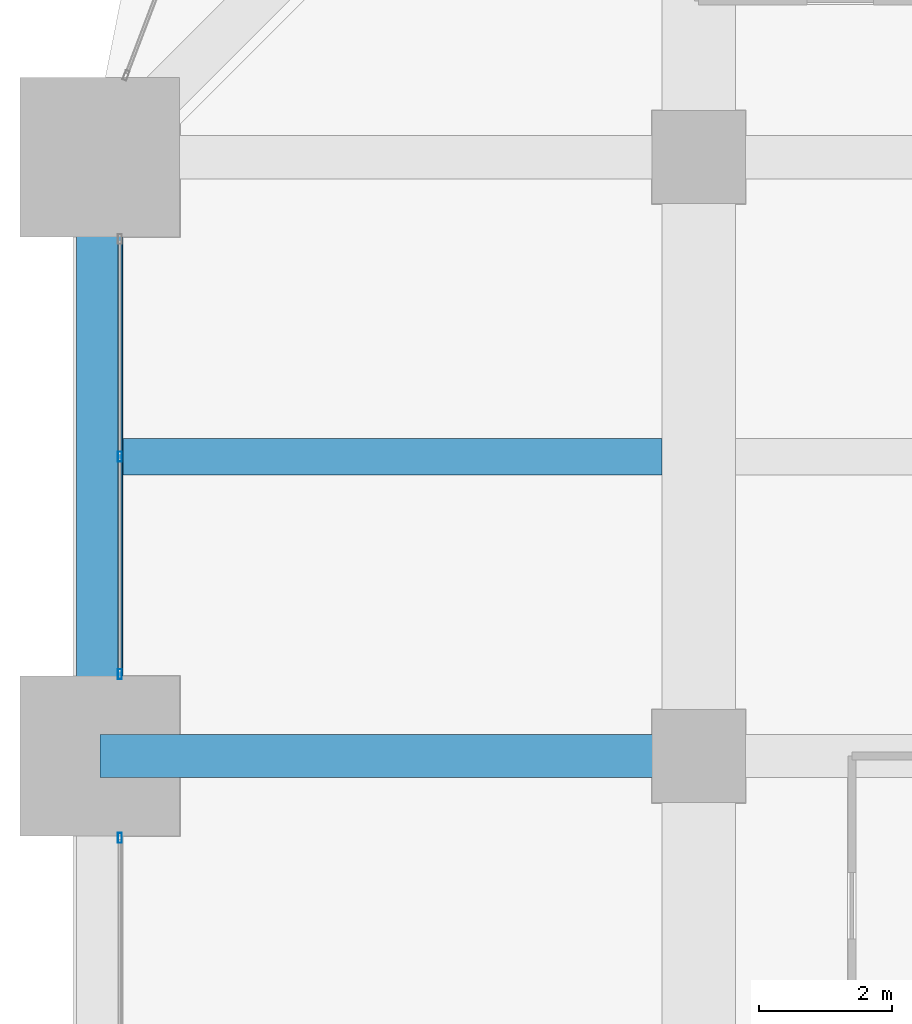
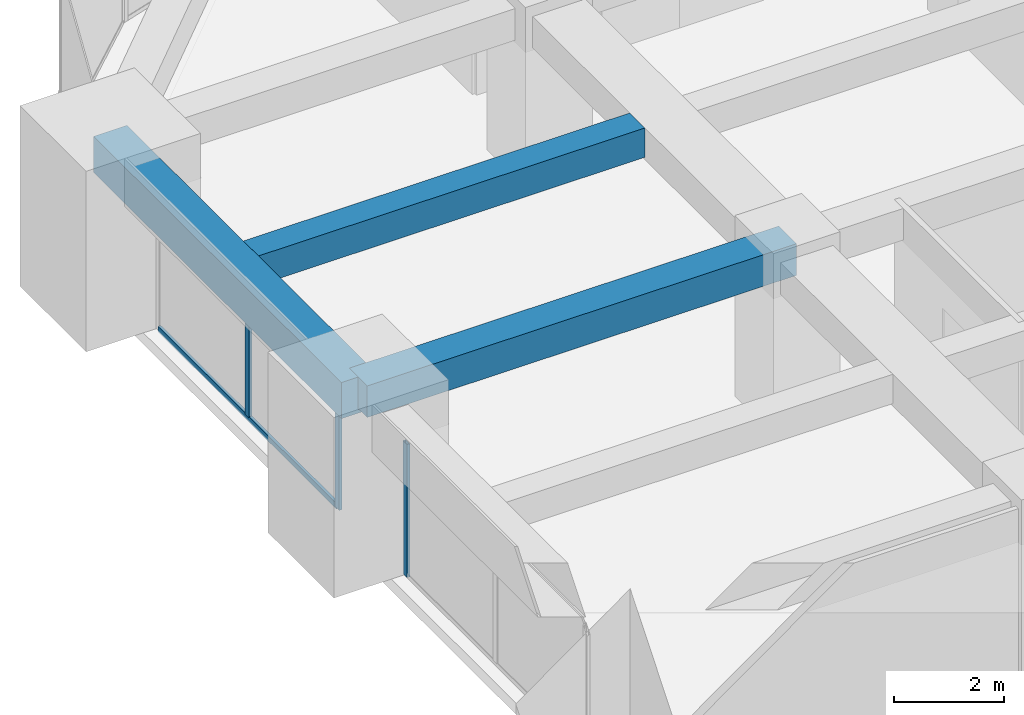
# One storey, part 11 of 33: 4 members, 3 beams, 2 elements without a shape of their own.
"""IFC4 building model written with IfcOpenShell, lengths in metres."""

from ifc_helpers import new_model, si_unit, direction, frame, origin, origin_2d, place, context, subcontext, project, spatial, rectangle, hollow_rectangle, extrude, material, material_profile, profile_set, type_object, element, aggregate, save


model = new_model("IFC4")

# Units and contexts
model_context = context("Model", 3, precision=1e-05, world=origin(), true_north=direction((0.0, 1.0)))
body_context = subcontext(model_context, "Body", "Model", "MODEL_VIEW")
ifc_project = project(units=[si_unit("LENGTHUNIT", "METRE"), si_unit("AREAUNIT", "SQUARE_METRE"), si_unit("VOLUMEUNIT", "CUBIC_METRE"), si_unit("PLANEANGLEUNIT", "RADIAN"), si_unit("MASSUNIT", "GRAM", prefix="KILO")], contexts=[model_context])

# Site, building, storey
site_placement = place(None, origin())
site = spatial("IfcSite", under=ifc_project, at=site_placement, CompositionType="ELEMENT")
building_placement = place(site_placement, origin())
building = spatial("IfcBuilding", under=site, at=building_placement, Name="Zorevar Civic Tower", CompositionType="ELEMENT")
storey_placement = place(building_placement, frame((0.0, 0.0, 206.199951171875)))
storey = spatial("IfcBuildingStorey", under=building, at=storey_placement, Name="L50", CompositionType="ELEMENT", Elevation=206.199951171875)

# Beams
ifc_material_1 = material(Name="Concrete C50/60", Category="concrete")
ifc_material_profile_1 = material_profile(ifc_material_1, rectangle(XDim=0.550048828125, YDim=0.64990234375, at=origin_2d()), Name="RC 550x650")
ifc_profile_set_1 = profile_set([ifc_material_profile_1], Name="Concrete C50/60")
beam_type_1 = type_object("IfcBeamType", Name="Beam RC 550x650", PredefinedType="BEAM", material=ifc_profile_set_1)
beam_1_placement = place(storey_placement, frame((0.35009765625, 31.5, 3.425048828125), z_axis=(1.0, 0.0, 0.0), x_axis=(0.0, 1.0, 0.0)))
element("IfcBeam", 1, at=beam_1_placement, inside=storey, type_object=beam_type_1, Name="Secondary beam L51", PredefinedType="BEAM", context=body_context, shape_type="SweptSolid", body=[
    extrude(rectangle(XDim=0.550048828125, YDim=0.64990234375, at=origin_2d()), origin(), (0.0, 0.0, 1.0), 8.099853515625),
])
ifc_material_2 = material(Name="Concrete C50/60", Category="concrete")
ifc_material_profile_2 = material_profile(ifc_material_2, rectangle(XDim=0.64990234375, YDim=0.699951171875, at=origin_2d()), Name="RC 650x700")
ifc_profile_set_2 = profile_set([ifc_material_profile_2], Name="Concrete C50/60")
beam_type_2 = type_object("IfcBeamType", Name="Beam RC 650x700", PredefinedType="BEAM", material=ifc_profile_set_2)
beam_2_placement = place(storey_placement, frame((0.0, 27.0, 3.400146484375), z_axis=(1.0, 0.0, 0.0), x_axis=(0.0, 1.0, 0.0)))
element("IfcBeam", 2, at=beam_2_placement, inside=storey, type_object=beam_type_2, Name="Girder L51", PredefinedType="BEAM", context=body_context, shape_type="SweptSolid", body=[
    extrude(rectangle(XDim=0.64990234375, YDim=0.699951171875, at=origin_2d()), origin(), (0.0, 0.0, 1.0), 9.0),
])

# Curtain wall, member
ifc_material_3 = material(Name="Dark grey solar-control glass in black aluminium frame", Category="aluminium")
curtain_wall_type = type_object("IfcCurtainWallType", Name="Curtain wall CW4 high zone", PredefinedType="NOTDEFINED", material=ifc_material_3)
curtain_wall_1_placement = place(storey_placement, origin())
curtain_wall_1 = element("IfcCurtainWall", 3, at=curtain_wall_1_placement, inside=storey, type_object=curtain_wall_type, Name="CW4 L50", PredefinedType="NOTDEFINED")
ifc_material_4 = material(Name="Aluminium, black anodised", Category="aluminium")
ifc_material_profile_3 = material_profile(ifc_material_4, hollow_rectangle(XDim=0.06005859375, YDim=0.14990234375, WallThickness=0.00390625, at=origin_2d()), Name="AL 150x60x4")
ifc_profile_set_3 = profile_set([ifc_material_profile_3], Name="Aluminium, black anodised")
member_type_1 = type_object("IfcMemberType", Name="CW4 mullion AL 150x60x4", PredefinedType="MULLION", material=ifc_profile_set_3)
member_1_placement = place(storey_placement, frame((0.300048828125, 25.77001953125, 0.0), z_axis=(0.0, 0.0, 1.0), x_axis=(-1.0, 0.0, 0.0)))
member_1 = element("IfcMember", 4, at=member_1_placement, type_object=member_type_1, Name="CW4 mullion 3", PredefinedType="MULLION", context=body_context, shape_type="SweptSolid", body=[
    extrude(hollow_rectangle(XDim=0.06005859375, YDim=0.14990234375, WallThickness=0.00390625, at=origin_2d()), origin(), (0.0, 0.0, 1.0), 2.949951171875),
])
aggregate(curtain_wall_1, [member_1])

# Curtain wall, members
curtain_wall_2_placement = place(storey_placement, origin())
curtain_wall_2 = element("IfcCurtainWall", 5, at=curtain_wall_2_placement, inside=storey, type_object=curtain_wall_type, Name="CW4 L50", PredefinedType="NOTDEFINED")
member_2_placement = place(storey_placement, frame((0.300048828125, 28.22998046875, 0.0), z_axis=(0.0, 0.0, 1.0), x_axis=(-1.0, 0.0, 0.0)))
member_2 = element("IfcMember", 6, at=member_2_placement, type_object=member_type_1, Name="CW4 mullion 1", PredefinedType="MULLION", context=body_context, shape_type="SweptSolid", body=[
    extrude(hollow_rectangle(XDim=0.06005859375, YDim=0.14990234375, WallThickness=0.00390625, at=origin_2d()), origin(), (0.0, 0.0, 1.0), 2.949951171875),
])
member_3_placement = place(storey_placement, frame((0.300048828125, 31.5, 0.06005859375), z_axis=(0.0, 0.0, 1.0), x_axis=(-1.0, 0.0, 0.0)))
member_3 = element("IfcMember", 7, at=member_3_placement, type_object=member_type_1, Name="CW4 mullion 2", PredefinedType="MULLION", context=body_context, shape_type="SweptSolid", body=[
    extrude(hollow_rectangle(XDim=0.06005859375, YDim=0.14990234375, WallThickness=0.00390625, at=origin_2d()), origin(), (0.0, 0.0, 1.0), 2.889892578125),
])
ifc_material_5 = material(Name="Aluminium, black anodised", Category="aluminium")
ifc_material_profile_4 = material_profile(ifc_material_5, hollow_rectangle(XDim=0.06005859375, YDim=0.1201171875, WallThickness=0.0029296875, at=origin_2d()), Name="AL 120x60x3")
ifc_profile_set_4 = profile_set([ifc_material_profile_4], Name="Aluminium, black anodised")
member_type_2 = type_object("IfcMemberType", Name="CW4 transom AL 120x60x3", PredefinedType="USERDEFINED", material=ifc_profile_set_4)
member_4_placement = place(storey_placement, frame((0.300048828125, 28.260009765625, 0.030029296875), z_axis=(0.0, 1.0, 0.0), x_axis=(-1.0, 0.0, 0.0)))
member_4 = element("IfcMember", 8, at=member_4_placement, type_object=member_type_2, Name="CW4 sill transom", ObjectType="TRANSOM", PredefinedType="USERDEFINED", context=body_context, shape_type="SweptSolid", body=[
    extrude(hollow_rectangle(XDim=0.06005859375, YDim=0.1201171875, WallThickness=0.0029296875, at=origin_2d()), origin(), (0.0, 0.0, 1.0), 6.47998046875),
])
aggregate(curtain_wall_2, [member_2, member_3, member_4])

# Beam
ifc_material_6 = material(Name="Concrete C50/60", Category="concrete")
ifc_material_profile_5 = material_profile(ifc_material_6, rectangle(XDim=0.699951171875, YDim=0.800048828125, at=origin_2d()), Name="RC 700x800")
ifc_profile_set_5 = profile_set([ifc_material_profile_5], Name="Concrete C50/60")
beam_type_3 = type_object("IfcBeamType", Name="Edge beam RC 700x800", PredefinedType="SPANDREL", material=ifc_profile_set_5)
beam_3_placement = place(storey_placement, frame((0.0, 27.0, 3.35009765625), z_axis=(0.0, 1.0, 0.0), x_axis=(-1.0, 0.0, 0.0)))
element("IfcBeam", 9, at=beam_3_placement, inside=storey, type_object=beam_type_3, Name="Edge beam L51", PredefinedType="SPANDREL", context=body_context, shape_type="SweptSolid", body=[
    extrude(rectangle(XDim=0.699951171875, YDim=0.800048828125, at=origin_2d()), origin(), (0.0, 0.0, 1.0), 9.0),
])

save(model, "model.ifc")
